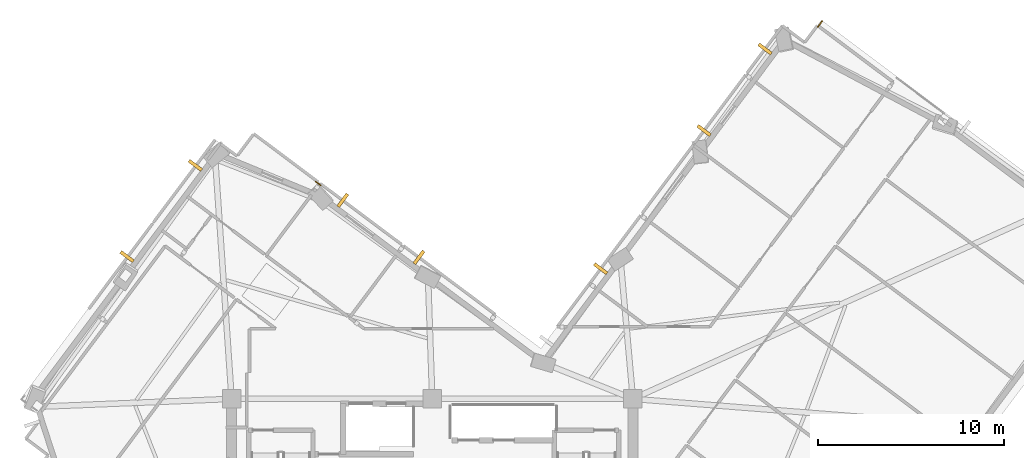
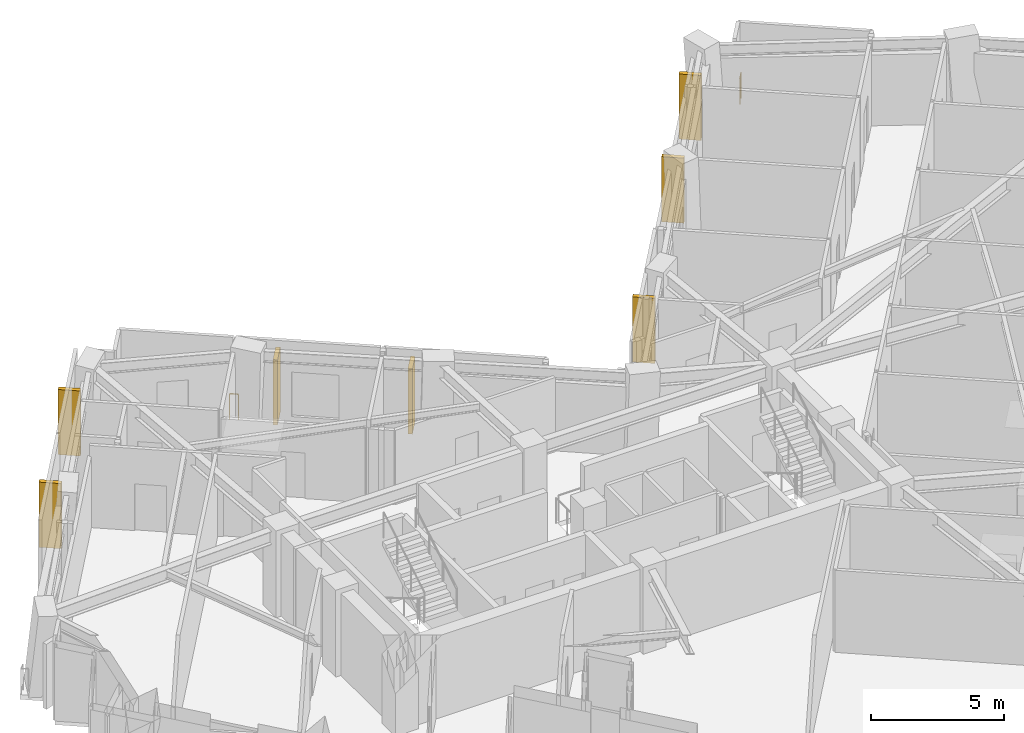
# One storey, part 11 of 12: 7 shading devices, 2 railings.
"""IFC4 building model written with IfcOpenShell, lengths in metres."""

from ifc_helpers import new_model, si_unit, direction, frame, origin, origin_2d, place, context, subcontext, project, spatial, rectangle, circle, extrude, material, layer, layer_set, type_object, element, save


model = new_model("IFC4")

# Units and contexts
model_context = context("Model", 3, precision=1e-05, world=origin(), true_north=direction((0.0, 1.0)))
body_context = subcontext(model_context, "Body", "Model", "MODEL_VIEW")
ifc_project = project(units=[si_unit("LENGTHUNIT", "METRE"), si_unit("AREAUNIT", "SQUARE_METRE"), si_unit("VOLUMEUNIT", "CUBIC_METRE"), si_unit("PLANEANGLEUNIT", "RADIAN"), si_unit("MASSUNIT", "GRAM", prefix="KILO")], contexts=[model_context])

# Site, building, storey
site_placement = place(None, origin())
site = spatial("IfcSite", under=ifc_project, at=site_placement, CompositionType="ELEMENT")
building_placement = place(site_placement, origin())
building = spatial("IfcBuilding", under=site, at=building_placement, Name="Gaonmaruhae Medical Tower", CompositionType="ELEMENT")
storey_placement = place(building_placement, frame((0.0, 0.0, 251.199951171875)))
storey = spatial("IfcBuildingStorey", under=building, at=storey_placement, Name="L60", CompositionType="ELEMENT", Elevation=251.199951171875)

# Railings
ifc_material_1 = material(Name="Stainless steel 316L and laminated safety glass", Category="steel")
ifc_layer = layer(ifc_material_1, 0.080078125)
ifc_layer_set = layer_set([ifc_layer], Name="Stainless steel 316L and laminated safety glass")
railing_type = type_object("IfcRailingType", Name="GD-120 Outdoor Terrace Safety Glass & Steel Balustrade", PredefinedType="BALUSTRADE", material=ifc_layer_set)
railing_1_placement = place(storey_placement, frame((18.5205078125, 28.500244140625, 0.0)))
element("IfcRailing", 1, at=railing_1_placement, inside=storey, type_object=railing_type, Name="L60 Perimeter Slab Edge Safety Balustrade 02", PredefinedType="BALUSTRADE", context=body_context, shape_type="SweptSolid", body=[
    extrude(circle(Radius=0.02392578125, at=origin_2d()), frame((0.0, 0.0, 1.17578125), z_axis=(0.800777760538, -0.598961583265, 0.0), x_axis=(0.598961583265, 0.800777760538, 0.0)), (0.0, 0.0, 1.0), 0.338623046875),
    extrude(circle(Radius=0.02099609375, at=origin_2d()), origin(), (0.0, 0.0, 1.0), 1.15185546875),
    extrude(circle(Radius=0.02099609375, at=origin_2d()), frame((0.271240234375, -0.202880859375, 0.0)), (0.0, 0.0, 1.0), 1.15185546875),
])
railing_2_placement = place(storey_placement, frame((45.553466796875, 36.822021484375, 0.0)))
element("IfcRailing", 2, at=railing_2_placement, inside=storey, type_object=railing_type, Name="L60 Perimeter Slab Edge Safety Balustrade 03", PredefinedType="BALUSTRADE", context=body_context, shape_type="SweptSolid", body=[
    extrude(circle(Radius=0.02392578125, at=origin_2d()), frame((0.0, 0.0, 1.17578125), z_axis=(0.599006366452, 0.80074426189, 0.0), x_axis=(-0.80074426189, 0.599006366452, 0.0)), (0.0, 0.0, 1.0), 0.393310546875),
    extrude(circle(Radius=0.02099609375, at=origin_2d()), origin(), (0.0, 0.0, 1.0), 1.15185546875),
    extrude(circle(Radius=0.02099609375, at=origin_2d()), frame((0.235595703125, 0.31494140625, 0.0)), (0.0, 0.0, 1.0), 1.15185546875),
])

# Shading devices
ifc_material_2 = material(Name="Pigmented coral precast concrete C45/55", Category="concrete")
shading_device_type = type_object("IfcShadingDeviceType", Name="SD-FIN1 Tower Vertical Coral Precast Shading Fin", PredefinedType="USERDEFINED", material=ifc_material_2)
for number, where, z_axis, x_axis, name in (
    (3, (39.427978515625, 31.24658203125, 0.132568359375), (0.0, 0.0, 1.0), (0.599023598516, 0.800731370949, 0.0), "L60 Vertical Coral Precast Shading Fin E03"),
    (4, (42.71044921875, 35.634521484375, 0.132568359375), (0.0, 0.0, 1.0), (0.599023598516, 0.800731370949, 0.0), "L60 Vertical Coral Precast Shading Fin E03B"),
    (5, (33.86328125, 23.80810546875, 0.132568359375), (0.0, 0.0, 1.0), (0.599023598516, 0.800731370949, 0.0), "L60 Vertical Coral Precast Shading Fin EN02B"),
    (6, (19.98291015625, 27.4873046875, 0.132568359375), (0.0, 0.0, 1.0), (0.800731370949, -0.599023598516, 0.0), "L60 Vertical Coral Precast Shading Fin NE01"),
    (7, (24.0859375, 24.41796875, 0.132568359375), (0.0, 0.0, 1.0), (0.800731370949, -0.599023598516, 0.0), "L60 Vertical Coral Precast Shading Fin NE01B"),
    (8, (8.37255859375, 24.456787109375, 0.132568359375), (0.0, 0.0, 1.0), (0.599023598516, 0.800731370949, 0.0), "L60 Vertical Coral Precast Shading Fin N01"),
    (9, (12.047119140625, 29.368896484375, 0.132568359375), (0.0, 0.0, 1.0), (0.599023598516, 0.800731370949, 0.0), "L60 Vertical Coral Precast Shading Fin N01B"),
):
    element("IfcShadingDevice", number, at=place(storey_placement, frame(where, z_axis=z_axis, x_axis=x_axis)), inside=storey, type_object=shading_device_type, Name=name, ObjectType="FIN", PredefinedType="USERDEFINED", context=body_context, shape_type="SweptSolid", body=[
        extrude(rectangle(XDim=0.179931640625, YDim=0.85009765625, at=origin_2d()), origin(), (0.0, 0.0, 1.0), 3.0),
    ])

save(model, "model.ifc")
